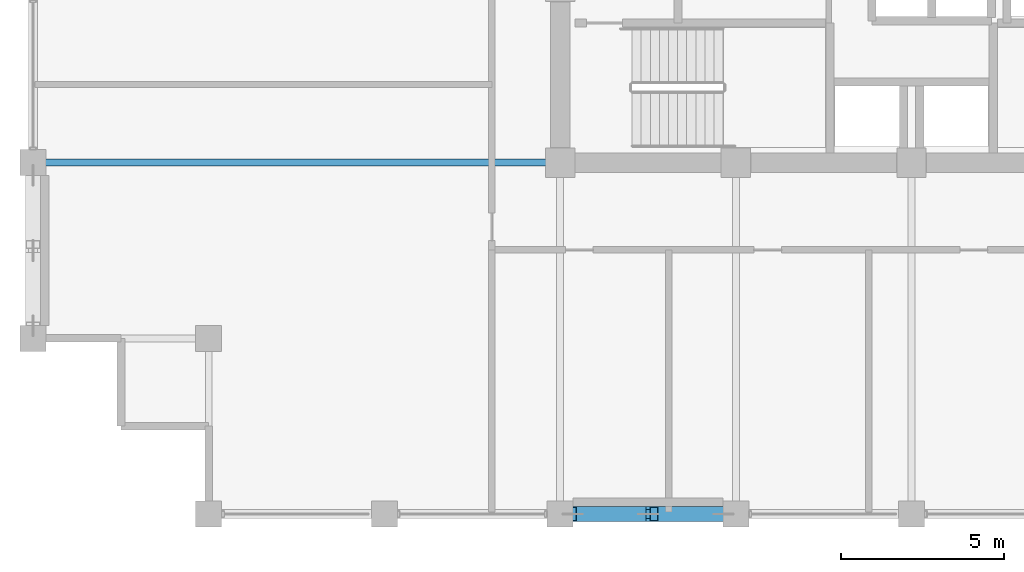
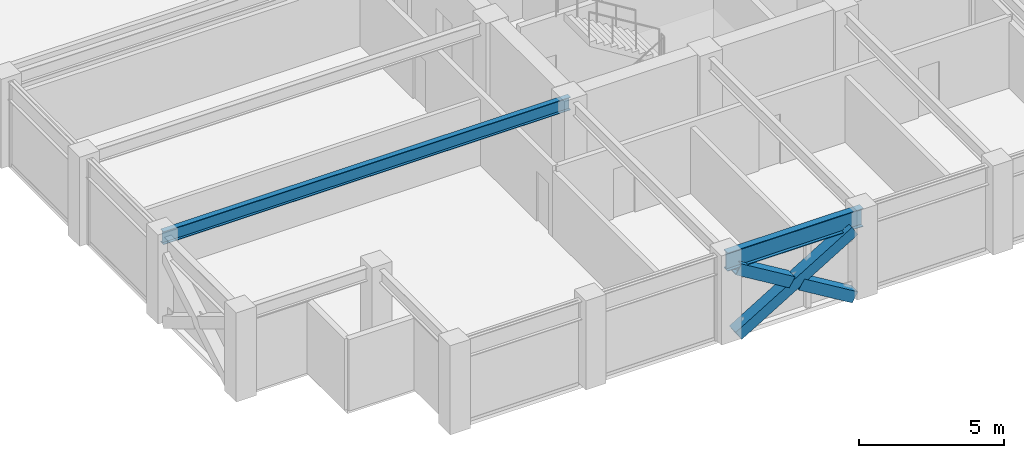
# One storey, part 5 of 32: 3 members, 2 beams.
"""IFC4 building model written with IfcOpenShell, lengths in metres."""

from ifc_helpers import new_model, si_unit, direction, frame, origin, origin_2d, place, context, subcontext, project, spatial, hollow_rectangle, i_section, extrude, material, material_profile, profile_set, type_object, element, save


model = new_model("IFC4")

# Units and contexts
model_context = context("Model", 3, precision=1e-05, world=origin(), true_north=direction((0.0, 1.0)))
body_context = subcontext(model_context, "Body", "Model", "MODEL_VIEW")
ifc_project = project(units=[si_unit("LENGTHUNIT", "METRE"), si_unit("AREAUNIT", "SQUARE_METRE"), si_unit("VOLUMEUNIT", "CUBIC_METRE"), si_unit("PLANEANGLEUNIT", "RADIAN"), si_unit("MASSUNIT", "GRAM", prefix="KILO")], contexts=[model_context])

# Site, building, storey
site_placement = place(None, origin())
site = spatial("IfcSite", under=ifc_project, at=site_placement, CompositionType="ELEMENT")
building_placement = place(site_placement, origin())
building = spatial("IfcBuilding", under=site, at=building_placement, Name="Surkhivell Harbour Commons", CompositionType="ELEMENT")
storey_placement = place(building_placement, frame((0.0, 0.0, 223.5)))
storey = spatial("IfcBuildingStorey", under=building, at=storey_placement, Name="L58", CompositionType="ELEMENT", Elevation=223.5)

# Beams
ifc_material_1 = material(Name="Steel S355", Category="steel")
ifc_material_profile_1 = material_profile(ifc_material_1, i_section(OverallWidth=0.2119140625, OverallDepth=0.5439453125, WebThickness=0.0126953125, FlangeThickness=0.021240234375, at=origin_2d()), Name="UB533x210x122")
ifc_profile_set_1 = profile_set([ifc_material_profile_1], Name="Steel S355")
beam_type_1 = type_object("IfcBeamType", Name="BM-GRD-533A", PredefinedType="BEAM", material=ifc_profile_set_1)
beam_1_placement = place(storey_placement, frame((-27.0, -10.800048828125, 3.298095703125), z_axis=(1.0, 0.0, 0.0), x_axis=(0.0, 1.0, 0.0)))
element("IfcBeam", 1, at=beam_1_placement, inside=storey, type_object=beam_type_1, Name="L58 Floor Girder (-27.0,-10.8)", PredefinedType="BEAM", context=body_context, shape_type="SweptSolid", body=[
    extrude(i_section(OverallWidth=0.2119140625, OverallDepth=0.5439453125, WebThickness=0.0126953125, FlangeThickness=0.021240234375, at=origin_2d()), origin(), (0.0, 0.0, 1.0), 16.199951171875),
])
ifc_material_profile_2 = material_profile(ifc_material_1, i_section(OverallWidth=0.26806640625, OverallDepth=0.77001953125, WebThickness=0.015625, FlangeThickness=0.025390625, at=origin_2d()), Name="UB762x267x197")
ifc_profile_set_2 = profile_set([ifc_material_profile_2], Name="Steel S355")
beam_type_2 = type_object("IfcBeamType", Name="BM-SPN-762", PredefinedType="SPANDREL", material=ifc_profile_set_2)
beam_2_placement = place(storey_placement, frame((-10.800048828125, -21.60009765625, 3.18505859375), z_axis=(1.0, 0.0, 0.0), x_axis=(0.0, 1.0, 0.0)))
element("IfcBeam", 2, at=beam_2_placement, inside=storey, type_object=beam_type_2, Name="L58 Tube Spandrel (-10.8,-21.6)", PredefinedType="SPANDREL", context=body_context, shape_type="SweptSolid", body=[
    extrude(i_section(OverallWidth=0.26806640625, OverallDepth=0.77001953125, WebThickness=0.015625, FlangeThickness=0.025390625, at=origin_2d()), origin(), (0.0, 0.0, 1.0), 5.400146484375),
])

# Members
ifc_material_2 = material(Name="Steel S460", Category="steel")
ifc_material_profile_3 = material_profile(ifc_material_2, hollow_rectangle(XDim=0.449951171875, YDim=0.449951171875, WallThickness=0.02197265625, at=origin_2d()), Name="SHS450x450x22")
ifc_profile_set_3 = profile_set([ifc_material_profile_3], Name="Steel S460")
member_type = type_object("IfcMemberType", Name="MEM-BRC-SHS450", PredefinedType="BRACE", material=ifc_profile_set_3)
member_1_placement = place(storey_placement, frame((-10.4150390625, -21.60009765625, 0.008056640625), z_axis=(0.856035804566, 0.0, 0.516916532238), x_axis=(0.0, 1.0, 0.0)))
element("IfcMember", 3, at=member_1_placement, inside=storey, type_object=member_type, Name="L58 Perimeter Mega-Brace MB- 07", PredefinedType="BRACE", context=body_context, shape_type="SweptSolid", body=[
    extrude(hollow_rectangle(XDim=0.449951171875, YDim=0.449951171875, WallThickness=0.02197265625, at=origin_2d()), origin(), (0.0, 0.0, 1.0), 5.40869140625),
])
member_2_placement = place(storey_placement, frame((-5.784912109375, -21.60009765625, 0.008056640625), z_axis=(-0.856061168755, 0.0, 0.516874525731), x_axis=(0.0, -1.0, 0.0)))
element("IfcMember", 4, at=member_2_placement, inside=storey, type_object=member_type, Name="L58 Perimeter Mega-Brace MB- 08", PredefinedType="BRACE", context=body_context, shape_type="SweptSolid", body=[
    extrude(hollow_rectangle(XDim=0.449951171875, YDim=0.449951171875, WallThickness=0.02197265625, at=origin_2d()), origin(), (0.0, 0.0, 1.0), 2.48828125),
])
member_3_placement = place(storey_placement, frame((-8.284912109375, -21.60009765625, 1.517578125), z_axis=(-0.856017753989, 0.0, 0.516946423584), x_axis=(0.0, -1.0, 0.0)))
element("IfcMember", 5, at=member_3_placement, inside=storey, type_object=member_type, Name="L58 Perimeter Mega-Brace MB- 09", PredefinedType="BRACE", context=body_context, shape_type="SweptSolid", body=[
    extrude(hollow_rectangle(XDim=0.449951171875, YDim=0.449951171875, WallThickness=0.02197265625, at=origin_2d()), origin(), (0.0, 0.0, 1.0), 2.488525390625),
])

save(model, "model.ifc")
